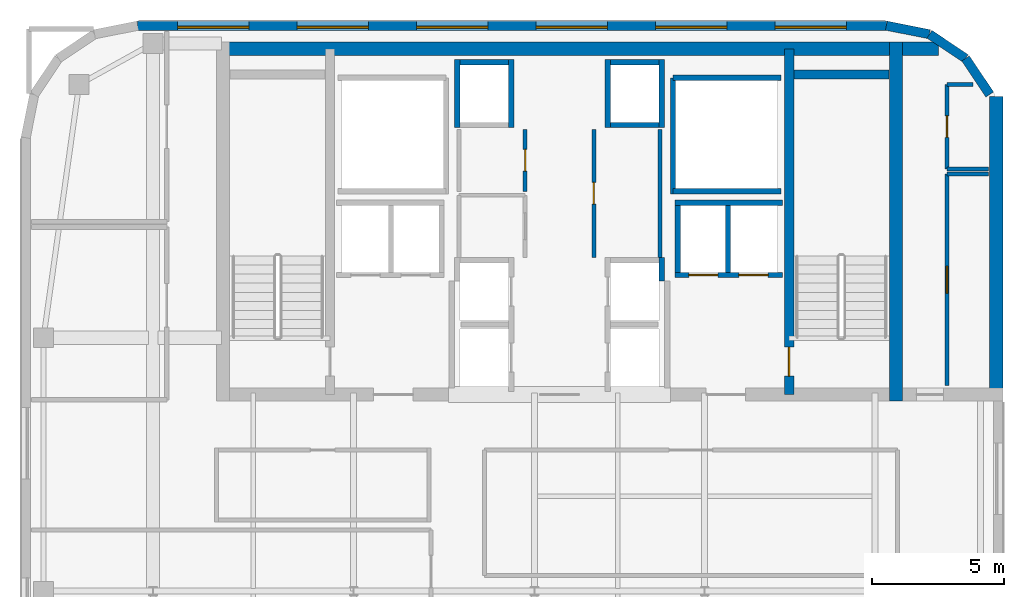
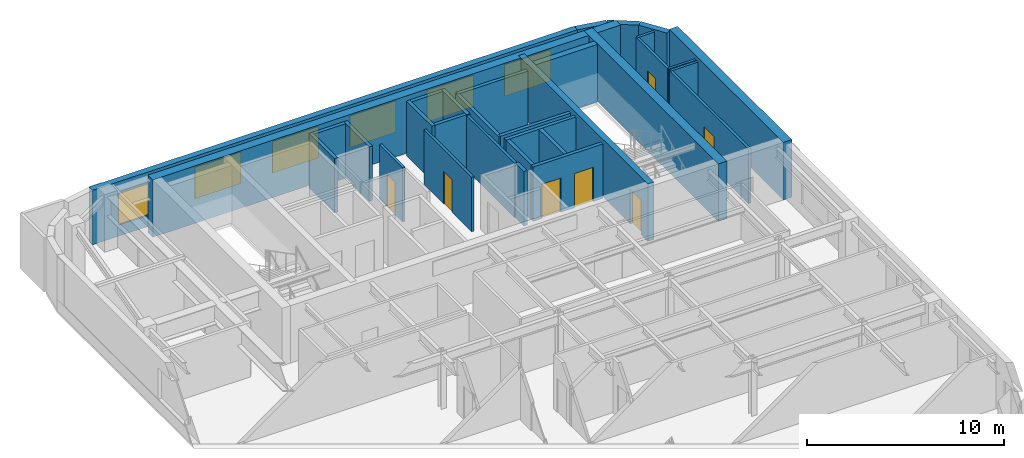
# One storey, part 7 of 12: 33 walls, 7 doors, 6 windows, 13 openings.
"""IFC4 building model written with IfcOpenShell, lengths in metres."""

from ifc_helpers import new_model, si_unit, direction, frame, frame_2d, origin, place, context, subcontext, project, spatial, rectangle, extrude, source, transform, mapped, material, layer, layer_set, type_object, type_shapes, element, fill, save


model = new_model("IFC4")

# Units and contexts
model_context = context("Model", 3, precision=1e-05, world=origin(), true_north=direction((0.0, 1.0)))
body_context = subcontext(model_context, "Body", "Model", "MODEL_VIEW")
ifc_project = project(units=[si_unit("LENGTHUNIT", "METRE"), si_unit("AREAUNIT", "SQUARE_METRE"), si_unit("VOLUMEUNIT", "CUBIC_METRE"), si_unit("PLANEANGLEUNIT", "RADIAN"), si_unit("MASSUNIT", "GRAM", prefix="KILO")], contexts=[model_context])

# Site, building, storey
site_placement = place(None, origin())
site = spatial("IfcSite", under=ifc_project, at=site_placement, CompositionType="ELEMENT")
building_placement = place(site_placement, origin())
building = spatial("IfcBuilding", under=site, at=building_placement, Name="Tolvann Quenvar Hotel", CompositionType="ELEMENT")
storey_placement = place(building_placement, frame((0.0, 0.0, 213.25)))
storey = spatial("IfcBuildingStorey", under=building, at=storey_placement, Name="L56", CompositionType="ELEMENT", Elevation=213.25)

# Walls
ifc_material_1 = material(Name="Concrete N50 (50 MPa)", Category="concrete")
ifc_layer_1 = layer(ifc_material_1, 0.5)
ifc_layer_set_1 = layer_set([ifc_layer_1], Name="Concrete N50 (50 MPa)")
wall_type_1 = type_object("IfcWallType", Name="WALL_CORE_500", PredefinedType="SHEAR", material=ifc_layer_set_1)
wall_1_placement = place(storey_placement, frame((10.0, 44.949951171875, 0.0), z_axis=(0.0, 0.0, 1.0), x_axis=(1.0, 0.0, 0.0)))
element("IfcWall", 1, at=wall_1_placement, inside=storey, type_object=wall_type_1, Name="Rear Core N Shear Wall (L56)", PredefinedType="SHEAR", context=body_context, shape_type="SweptSolid", body=[
    extrude(rectangle(XDim=26.0, YDim=0.5, at=frame_2d((13.0, 0.0))), origin(), (0.0, 0.0, 1.0), 3.550048828125),
])
wall_2_placement = place(storey_placement, frame((35.75, 31.60009765625, 0.0), z_axis=(0.0, 0.0, 1.0), x_axis=(0.0, 1.0, 0.0)))
element("IfcWall", 2, at=wall_2_placement, inside=storey, type_object=wall_type_1, Name="Rear Core E Shear Wall (L56)", PredefinedType="SHEAR", context=body_context, shape_type="SweptSolid", body=[
    extrude(rectangle(XDim=13.599853515625, YDim=0.5, at=frame_2d((6.7998046875, 0.0))), origin(), (0.0, 0.0, 1.0), 3.550048828125),
])
wall_3_placement = place(storey_placement, frame((36.0, 44.949951171875, 0.0), z_axis=(0.0, 0.0, 1.0), x_axis=(1.0, 0.0, 0.0)))
element("IfcWall", 3, at=wall_3_placement, inside=storey, type_object=wall_type_1, Name="Core East Annex Shear Wall ANN-N (L56)", PredefinedType="SHEAR", context=body_context, shape_type="SweptSolid", body=[
    extrude(rectangle(XDim=1.35009765625, YDim=0.5, at=frame_2d((0.675048828125, 0.0))), origin(), (0.0, 0.0, 1.0), 3.550048828125),
])
wall_4_placement = place(storey_placement, frame((39.550048828125, 31.60009765625, 0.0), z_axis=(0.0, 0.0, 1.0), x_axis=(0.0, 1.0, 0.0)))
element("IfcWall", 4, at=wall_4_placement, inside=storey, type_object=wall_type_1, Name="Core East Annex Shear Wall ANN-E (L56)", PredefinedType="SHEAR", context=body_context, shape_type="SweptSolid", body=[
    extrude(rectangle(XDim=11.5498046875, YDim=0.5, at=frame_2d((5.77490234375, 0.0))), origin(), (0.0, 0.0, 1.0), 3.550048828125),
])

# Wall, opening, door
ifc_material_2 = material(Name="Concrete S65 (65 MPa)", Category="concrete")
ifc_layer_2 = layer(ifc_material_2, 0.35009765625)
ifc_layer_set_2 = layer_set([ifc_layer_2], Name="Concrete S65 (65 MPa)")
wall_type_2 = type_object("IfcWallType", Name="WALL_CORE_INT_350", PredefinedType="SHEAR", material=ifc_layer_set_2)
wall_5_placement = place(storey_placement, frame((31.699951171875, 31.85009765625, 0.0), z_axis=(0.0, 0.0, 1.0), x_axis=(0.0, 1.0, 0.0)))
wall_5 = element("IfcWall", 5, at=wall_5_placement, inside=storey, type_object=wall_type_2, Name="Core Internal Web Shear Wall WEB-E (L56)", PredefinedType="SHEAR", context=body_context, shape_type="SweptSolid", body=[
    extrude(rectangle(XDim=13.099853515625, YDim=0.35009765625, at=frame_2d((6.5498046875, 0.0))), origin(), (0.0, 0.0, 1.0), 3.550048828125),
])
opening_1_placement = place(wall_5_placement, frame((1.800048828125, 0.0, 0.0), z_axis=(0.0, 0.0, 1.0), x_axis=(-1.0, 0.0, 0.0)))
opening_1 = element("IfcOpeningElement", 6, at=opening_1_placement, cuts=wall_5, Name="Opening FD-120", PredefinedType="OPENING", context=body_context, shape_type="SweptSolid", body=[
    extrude(rectangle(XDim=1.10009765625, YDim=2.1201171875, at=frame_2d((0.550048828125, 1.06005859375))), frame((0.0, 0.18505859375, 0.0), z_axis=(0.0, -1.0, 0.0), x_axis=(1.0, 0.0, 0.0)), (0.0, 0.0, 1.0), 0.3701171875),
])
ifc_material_3 = material(Name="Pressed galvanised steel fire-rated door set", Category="steel")
door_type_1 = type_object("IfcDoorType", Name="DOOR_FIRE_STAIR_1100", OperationType="NOTDEFINED", PredefinedType="DOOR", material=ifc_material_3)
shared_shape_1 = source(origin(), body_context, "Body", "SweptSolid", [
    extrude(rectangle(XDim=1.10009765625, YDim=2.1201171875, at=frame_2d((0.550048828125, 1.06005859375))), frame((0.0, 0.02490234375, 0.0), z_axis=(0.0, -1.0, 0.0), x_axis=(1.0, 0.0, 0.0)), (0.0, 0.0, 1.0), 0.050048828125),
])
type_shapes(door_type_1, [shared_shape_1])
door_1_placement = place(opening_1_placement, origin())
door_1 = element("IfcDoor", 7, at=door_1_placement, inside=storey, type_object=door_type_1, Name="Exit Stair ST-C2 Fire Door (L56)", OperationType="SINGLE_SWING_RIGHT", OverallHeight=2.1201171875, OverallWidth=1.10009765625, PredefinedType="DOOR", context=body_context, shape_type="MappedRepresentation", body=[
    mapped(shared_shape_1, transform((0.0, 0.0, 0.0), x_axis=(1.0, 0.0, 0.0), y_axis=(0.0, 1.0, 0.0), z_axis=(0.0, 0.0, 1.0), scale=1.0)),
])
fill(opening_1, door_1)

# Walls
wall_6_placement = place(storey_placement, frame((31.8798828125, 43.97509765625, 0.0), z_axis=(0.0, 0.0, 1.0), x_axis=(1.0, 0.0, 0.0)))
element("IfcWall", 8, at=wall_6_placement, inside=storey, type_object=wall_type_2, Name="Core Stair North Closing Shear Wall STC2-N (L56)", PredefinedType="SHEAR", context=body_context, shape_type="SweptSolid", body=[
    extrude(rectangle(XDim=3.60009765625, YDim=0.35009765625, at=frame_2d((1.800048828125, 0.0))), origin(), (0.0, 0.0, 1.0), 3.550048828125),
])
ifc_material_4 = material(Name="Kiln-fired red and buff architectural clay brickwork and terracotta masonry", Category="masonry")
ifc_layer_3 = layer(ifc_material_4, 0.35009765625)
ifc_layer_set_3 = layer_set([ifc_layer_3], Name="Kiln-fired red and buff architectural clay brickwork and terracotta masonry")
wall_type_3 = type_object("IfcWallType", Name="WALL_EXT_BRICK_350", PredefinedType="SOLIDWALL", material=ifc_layer_set_3)
for number, where, z_axis, x_axis, name in (
    (9, (39.30029296875, 43.215576171875, 0.0), (0.0, 0.0, 1.0), (-0.555623290322, 0.831434158098, 0.0), "Exterior Chicago Brick Wall L56-E11"),
    (10, (38.385009765625, 44.585205078125, 0.0), (0.0, 0.0, 1.0), (-0.831502623162, 0.555520825599, 0.0), "Exterior Chicago Brick Wall L56-E12"),
):
    element("IfcWall", number, at=place(storey_placement, frame(where, z_axis=z_axis, x_axis=x_axis)), inside=storey, type_object=wall_type_3, Name=name, PredefinedType="SOLIDWALL", context=body_context, shape_type="SweptSolid", body=[
        extrude(rectangle(XDim=1.647216796875, YDim=0.35009765625, at=frame_2d((0.82373046875, 0.0))), origin(), (0.0, 0.0, 1.0), 3.3701171875),
    ])
wall_7_placement = place(storey_placement, frame((37.015380859375, 45.500244140625, 0.0), z_axis=(0.0, 0.0, 1.0), x_axis=(-0.980788844421, 0.195072403631, 0.0)))
element("IfcWall", 11, at=wall_7_placement, inside=storey, type_object=wall_type_3, Name="Exterior Chicago Brick Wall L56-E13", PredefinedType="SOLIDWALL", context=body_context, shape_type="SweptSolid", body=[
    extrude(rectangle(XDim=1.66455078125, YDim=0.35009765625, at=frame_2d((0.832275390625, 0.0))), origin(), (0.0, 0.0, 1.0), 3.3701171875),
])

# Wall, openings, windows
wall_8_placement = place(storey_placement, frame((35.3828125, 45.824951171875, 0.0), z_axis=(0.0, 0.0, 1.0), x_axis=(-1.0, 0.0, 0.0)))
wall_8 = element("IfcWall", 12, at=wall_8_placement, inside=storey, type_object=wall_type_3, Name="Exterior Chicago Brick Wall L56-E14", PredefinedType="SOLIDWALL", context=body_context, shape_type="SweptSolid", body=[
    extrude(rectangle(XDim=28.36572265625, YDim=0.35009765625, at=frame_2d((14.182861328125, 0.0))), origin(), (0.0, 0.0, 1.0), 3.3701171875),
])
opening_2_placement = place(wall_8_placement, frame((1.513916015625, 0.0, 0.679931640625)))
opening_2 = element("IfcOpeningElement", 13, at=opening_2_placement, cuts=wall_8, Name="Opening W-04", PredefinedType="OPENING", context=body_context, shape_type="SweptSolid", body=[
    extrude(rectangle(XDim=2.699951171875, YDim=1.949951171875, at=frame_2d((1.35009765625, 0.97509765625))), frame((0.0, 0.18505859375, 0.0), z_axis=(0.0, -1.0, 0.0), x_axis=(1.0, 0.0, 0.0)), (0.0, 0.0, 1.0), 0.3701171875),
])
opening_3_placement = place(wall_8_placement, frame((6.041015625, 0.0, 0.679931640625)))
opening_3 = element("IfcOpeningElement", 14, at=opening_3_placement, cuts=wall_8, Name="Opening W-04", PredefinedType="OPENING", context=body_context, shape_type="SweptSolid", body=[
    extrude(rectangle(XDim=2.699951171875, YDim=1.949951171875, at=frame_2d((1.35009765625, 0.97509765625))), frame((0.0, 0.18505859375, 0.0), z_axis=(0.0, -1.0, 0.0), x_axis=(1.0, 0.0, 0.0)), (0.0, 0.0, 1.0), 0.3701171875),
])
opening_4_placement = place(wall_8_placement, frame((10.569091796875, 0.0, 0.679931640625)))
opening_4 = element("IfcOpeningElement", 15, at=opening_4_placement, cuts=wall_8, Name="Opening W-04", PredefinedType="OPENING", context=body_context, shape_type="SweptSolid", body=[
    extrude(rectangle(XDim=2.699951171875, YDim=1.949951171875, at=frame_2d((1.35009765625, 0.97509765625))), frame((0.0, 0.18505859375, 0.0), z_axis=(0.0, -1.0, 0.0), x_axis=(1.0, 0.0, 0.0)), (0.0, 0.0, 1.0), 0.3701171875),
])
opening_5_placement = place(wall_8_placement, frame((15.096923828125, 0.0, 0.679931640625)))
opening_5 = element("IfcOpeningElement", 16, at=opening_5_placement, cuts=wall_8, Name="Opening W-04", PredefinedType="OPENING", context=body_context, shape_type="SweptSolid", body=[
    extrude(rectangle(XDim=2.699951171875, YDim=1.949951171875, at=frame_2d((1.35009765625, 0.97509765625))), frame((0.0, 0.18505859375, 0.0), z_axis=(0.0, -1.0, 0.0), x_axis=(1.0, 0.0, 0.0)), (0.0, 0.0, 1.0), 0.3701171875),
])
opening_6_placement = place(wall_8_placement, frame((19.6240234375, 0.0, 0.679931640625)))
opening_6 = element("IfcOpeningElement", 17, at=opening_6_placement, cuts=wall_8, Name="Opening W-04", PredefinedType="OPENING", context=body_context, shape_type="SweptSolid", body=[
    extrude(rectangle(XDim=2.699951171875, YDim=1.949951171875, at=frame_2d((1.35009765625, 0.97509765625))), frame((0.0, 0.18505859375, 0.0), z_axis=(0.0, -1.0, 0.0), x_axis=(1.0, 0.0, 0.0)), (0.0, 0.0, 1.0), 0.3701171875),
])
opening_7_placement = place(wall_8_placement, frame((24.152099609375, 0.0, 0.679931640625)))
opening_7 = element("IfcOpeningElement", 18, at=opening_7_placement, cuts=wall_8, Name="Opening W-04", PredefinedType="OPENING", context=body_context, shape_type="SweptSolid", body=[
    extrude(rectangle(XDim=2.699951171875, YDim=1.949951171875, at=frame_2d((1.35009765625, 0.97509765625))), frame((0.0, 0.18505859375, 0.0), z_axis=(0.0, -1.0, 0.0), x_axis=(1.0, 0.0, 0.0)), (0.0, 0.0, 1.0), 0.3701171875),
])
ifc_material_5 = material(Name="Thermally broken bronze-anodised aluminium frame with double low-E glazing", Category="aluminium")
window_type = type_object("IfcWindowType", Name="WIN_STE_2700x2150", PartitioningType="TRIPLE_PANEL_HORIZONTAL", PredefinedType="WINDOW", material=ifc_material_5)
shared_shape_2 = source(origin(), body_context, "Body", "SweptSolid", [
    extrude(rectangle(XDim=2.699951171875, YDim=1.949951171875, at=frame_2d((1.35009765625, 0.97509765625))), frame((0.0, 0.090087890625, 0.0), z_axis=(0.0, -1.0, 0.0), x_axis=(1.0, 0.0, 0.0)), (0.0, 0.0, 1.0), 0.06005859375),
])
type_shapes(window_type, [shared_shape_2])
window_1_placement = place(opening_2_placement, origin())
window_1 = element("IfcWindow", 19, at=window_1_placement, inside=storey, type_object=window_type, Name="Chicago Window W-04 (EW-L56-E14-W01)", OverallHeight=1.949951171875, OverallWidth=2.699951171875, PartitioningType="TRIPLE_PANEL_HORIZONTAL", PredefinedType="WINDOW", context=body_context, shape_type="MappedRepresentation", body=[
    mapped(shared_shape_2, transform((0.0, 0.0, 0.0), x_axis=(1.0, 0.0, 0.0), y_axis=(0.0, 1.0, 0.0), z_axis=(0.0, 0.0, 1.0), scale=1.0)),
])
fill(opening_2, window_1)
window_2_placement = place(opening_3_placement, origin())
window_2 = element("IfcWindow", 20, at=window_2_placement, inside=storey, type_object=window_type, Name="Chicago Window W-04 (EW-L56-E14-W02)", OverallHeight=1.949951171875, OverallWidth=2.699951171875, PartitioningType="TRIPLE_PANEL_HORIZONTAL", PredefinedType="WINDOW", context=body_context, shape_type="MappedRepresentation", body=[
    mapped(shared_shape_2, transform((0.0, 0.0, 0.0), x_axis=(1.0, 0.0, 0.0), y_axis=(0.0, 1.0, 0.0), z_axis=(0.0, 0.0, 1.0), scale=1.0)),
])
fill(opening_3, window_2)
window_3_placement = place(opening_4_placement, origin())
window_3 = element("IfcWindow", 21, at=window_3_placement, inside=storey, type_object=window_type, Name="Chicago Window W-04 (EW-L56-E14-W03)", OverallHeight=1.949951171875, OverallWidth=2.699951171875, PartitioningType="TRIPLE_PANEL_HORIZONTAL", PredefinedType="WINDOW", context=body_context, shape_type="MappedRepresentation", body=[
    mapped(shared_shape_2, transform((0.0, 0.0, 0.0), x_axis=(1.0, 0.0, 0.0), y_axis=(0.0, 1.0, 0.0), z_axis=(0.0, 0.0, 1.0), scale=1.0)),
])
fill(opening_4, window_3)
window_4_placement = place(opening_5_placement, origin())
window_4 = element("IfcWindow", 22, at=window_4_placement, inside=storey, type_object=window_type, Name="Chicago Window W-04 (EW-L56-E14-W04)", OverallHeight=1.949951171875, OverallWidth=2.699951171875, PartitioningType="TRIPLE_PANEL_HORIZONTAL", PredefinedType="WINDOW", context=body_context, shape_type="MappedRepresentation", body=[
    mapped(shared_shape_2, transform((0.0, 0.0, 0.0), x_axis=(1.0, 0.0, 0.0), y_axis=(0.0, 1.0, 0.0), z_axis=(0.0, 0.0, 1.0), scale=1.0)),
])
fill(opening_5, window_4)
window_5_placement = place(opening_6_placement, origin())
window_5 = element("IfcWindow", 23, at=window_5_placement, inside=storey, type_object=window_type, Name="Chicago Window W-04 (EW-L56-E14-W05)", OverallHeight=1.949951171875, OverallWidth=2.699951171875, PartitioningType="TRIPLE_PANEL_HORIZONTAL", PredefinedType="WINDOW", context=body_context, shape_type="MappedRepresentation", body=[
    mapped(shared_shape_2, transform((0.0, 0.0, 0.0), x_axis=(1.0, 0.0, 0.0), y_axis=(0.0, 1.0, 0.0), z_axis=(0.0, 0.0, 1.0), scale=1.0)),
])
fill(opening_6, window_5)
window_6_placement = place(opening_7_placement, origin())
window_6 = element("IfcWindow", 24, at=window_6_placement, inside=storey, type_object=window_type, Name="Chicago Window W-04 (EW-L56-E14-W06)", OverallHeight=1.949951171875, OverallWidth=2.699951171875, PartitioningType="TRIPLE_PANEL_HORIZONTAL", PredefinedType="WINDOW", context=body_context, shape_type="MappedRepresentation", body=[
    mapped(shared_shape_2, transform((0.0, 0.0, 0.0), x_axis=(1.0, 0.0, 0.0), y_axis=(0.0, 1.0, 0.0), z_axis=(0.0, 0.0, 1.0), scale=1.0)),
])
fill(opening_7, window_6)

# Wall, opening, door
ifc_material_6 = material(Name="Acoustic twin-stud fire-rated gypsum plasterboard partition")
ifc_layer_4 = layer(ifc_material_6, 0.14990234375)
ifc_layer_set_4 = layer_set([ifc_layer_4], Name="Acoustic twin-stud fire-rated gypsum plasterboard partition")
wall_type_4 = type_object("IfcWallType", Name="WALL_PART_SUITE_150", PredefinedType="PARTITIONING", material=ifc_layer_set_4)
wall_9_placement = place(storey_placement, frame((21.699951171875, 39.550048828125, 0.0), z_axis=(0.0, 0.0, 1.0), x_axis=(0.0, 1.0, 0.0)))
wall_9 = element("IfcWall", 25, at=wall_9_placement, inside=storey, type_object=wall_type_4, Name="Interior Partition PT-SPC-L56-RECPM-2-ENT", PredefinedType="PARTITIONING", context=body_context, shape_type="SweptSolid", body=[
    extrude(rectangle(XDim=2.349853515625, YDim=0.14990234375, at=frame_2d((1.1748046875, 0.0))), origin(), (0.0, 0.0, 1.0), 3.3701171875),
])
opening_8_placement = place(wall_9_placement, frame((0.764892578125, 0.0, 0.0)))
opening_8 = element("IfcOpeningElement", 26, at=opening_8_placement, cuts=wall_9, Name="Opening HD-02", PredefinedType="OPENING", context=body_context, shape_type="SweptSolid", body=[
    extrude(rectangle(XDim=0.820068359375, YDim=2.010009765625, at=frame_2d((0.41015625, 1.0048828125))), frame((0.0, 0.0849609375, 0.0), z_axis=(0.0, -1.0, 0.0), x_axis=(1.0, 0.0, 0.0)), (0.0, 0.0, 1.0), 0.169921875),
])
door_type_2 = type_object("IfcDoorType", Name="DOOR_STORE_820", OperationType="NOTDEFINED", PredefinedType="DOOR", material=ifc_material_3)
shared_shape_3 = source(origin(), body_context, "Body", "SweptSolid", [
    extrude(rectangle(XDim=0.820068359375, YDim=2.010009765625, at=frame_2d((0.41015625, 1.0048828125))), frame((0.0, 0.02490234375, 0.0), z_axis=(0.0, -1.0, 0.0), x_axis=(1.0, 0.0, 0.0)), (0.0, 0.0, 1.0), 0.050048828125),
])
type_shapes(door_type_2, [shared_shape_3])
door_2_placement = place(opening_8_placement, origin())
door_2 = element("IfcDoor", 27, at=door_2_placement, inside=storey, type_object=door_type_2, Name="Interior Door DOOR-SPC-L56-RECPM-2", OperationType="SINGLE_SWING_RIGHT", OverallHeight=2.010009765625, OverallWidth=0.820068359375, PredefinedType="DOOR", context=body_context, shape_type="MappedRepresentation", body=[
    mapped(shared_shape_3, transform((0.0, 0.0, 0.0), x_axis=(1.0, 0.0, 0.0), y_axis=(0.0, 1.0, 0.0), z_axis=(0.0, 0.0, 1.0), scale=1.0)),
])
fill(opening_8, door_2)

wall_10_placement = place(storey_placement, frame((24.300048828125, 37.050048828125, 0.0), z_axis=(0.0, 0.0, 1.0), x_axis=(0.0, 1.0, 0.0)))
wall_10 = element("IfcWall", 28, at=wall_10_placement, inside=storey, type_object=wall_type_4, Name="Interior Partition PT-SPC-L56-RECPM-3-ENT", PredefinedType="PARTITIONING", context=body_context, shape_type="SweptSolid", body=[
    extrude(rectangle(XDim=4.849853515625, YDim=0.14990234375, at=frame_2d((2.4248046875, 0.0))), origin(), (0.0, 0.0, 1.0), 3.3701171875),
])
opening_9_placement = place(wall_10_placement, frame((2.014892578125, 0.0, 0.0)))
opening_9 = element("IfcOpeningElement", 29, at=opening_9_placement, cuts=wall_10, Name="Opening HD-02", PredefinedType="OPENING", context=body_context, shape_type="SweptSolid", body=[
    extrude(rectangle(XDim=0.820068359375, YDim=2.010009765625, at=frame_2d((0.41015625, 1.0048828125))), frame((0.0, 0.0849609375, 0.0), z_axis=(0.0, -1.0, 0.0), x_axis=(1.0, 0.0, 0.0)), (0.0, 0.0, 1.0), 0.169921875),
])
door_3_placement = place(opening_9_placement, origin())
door_3 = element("IfcDoor", 30, at=door_3_placement, inside=storey, type_object=door_type_2, Name="Interior Door DOOR-SPC-L56-RECPM-3", OperationType="SINGLE_SWING_LEFT", OverallHeight=2.010009765625, OverallWidth=0.820068359375, PredefinedType="DOOR", context=body_context, shape_type="MappedRepresentation", body=[
    mapped(shared_shape_3, transform((0.0, 0.0, 0.0), x_axis=(1.0, 0.0, 0.0), y_axis=(0.0, 1.0, 0.0), z_axis=(0.0, 0.0, 1.0), scale=1.0)),
])
fill(opening_9, door_3)

# Walls
wall_11_placement = place(storey_placement, frame((26.800048828125, 37.0400390625, 0.0), z_axis=(0.0, 0.0, 1.0), x_axis=(0.0, 1.0, 0.0)))
element("IfcWall", 31, at=wall_11_placement, inside=storey, type_object=wall_type_4, Name="Interior Partition PT-SPC-L56-RECPM-3-E", PredefinedType="PARTITIONING", context=body_context, shape_type="SweptSolid", body=[
    extrude(rectangle(XDim=4.85986328125, YDim=0.14990234375, at=frame_2d((2.429931640625, 0.0))), origin(), (0.0, 0.0, 1.0), 3.3701171875),
])
wall_12_placement = place(storey_placement, frame((37.679931640625, 40.199951171875, 0.0), z_axis=(0.0, 0.0, 1.0), x_axis=(1.0, 0.0, 0.0)))
element("IfcWall", 32, at=wall_12_placement, inside=storey, type_object=wall_type_4, Name="Interior Partition PT-SPC-L56-RECPL-1-N", PredefinedType="PARTITIONING", context=body_context, shape_type="SweptSolid", body=[
    extrude(rectangle(XDim=1.565185546875, YDim=0.14990234375, at=frame_2d((0.78271484375, 0.0))), origin(), (0.0, 0.0, 1.0), 3.3701171875),
])

# Wall, opening, door
wall_13_placement = place(storey_placement, frame((37.679931640625, 32.199951171875, 0.0), z_axis=(0.0, 0.0, 1.0), x_axis=(0.0, 1.0, 0.0)))
wall_13 = element("IfcWall", 33, at=wall_13_placement, inside=storey, type_object=wall_type_4, Name="Interior Partition PT-SPC-L56-RECPL-1-W", PredefinedType="PARTITIONING", context=body_context, shape_type="SweptSolid", body=[
    extrude(rectangle(XDim=8.0, YDim=0.14990234375, at=frame_2d((4.0, 0.0))), origin(), (0.0, 0.0, 1.0), 3.3701171875),
])
opening_10_placement = place(wall_13_placement, frame((3.489990234375, 0.0, 0.0)))
opening_10 = element("IfcOpeningElement", 34, at=opening_10_placement, cuts=wall_13, Name="Opening HD-01", PredefinedType="OPENING", context=body_context, shape_type="SweptSolid", body=[
    extrude(rectangle(XDim=1.02001953125, YDim=2.030029296875, at=frame_2d((0.510009765625, 1.01513671875))), frame((0.0, 0.0849609375, 0.0), z_axis=(0.0, -1.0, 0.0), x_axis=(1.0, 0.0, 0.0)), (0.0, 0.0, 1.0), 0.169921875),
])
door_type_3 = type_object("IfcDoorType", Name="DOOR_BOH_1020", OperationType="NOTDEFINED", PredefinedType="DOOR", material=ifc_material_3)
shared_shape_4 = source(origin(), body_context, "Body", "SweptSolid", [
    extrude(rectangle(XDim=1.02001953125, YDim=2.030029296875, at=frame_2d((0.510009765625, 1.01513671875))), frame((0.0, 0.02490234375, 0.0), z_axis=(0.0, -1.0, 0.0), x_axis=(1.0, 0.0, 0.0)), (0.0, 0.0, 1.0), 0.050048828125),
])
type_shapes(door_type_3, [shared_shape_4])
door_4_placement = place(opening_10_placement, origin())
door_4 = element("IfcDoor", 35, at=door_4_placement, inside=storey, type_object=door_type_3, Name="Interior Door DOOR-SPC-L56-RECPL-1", OperationType="SINGLE_SWING_RIGHT", OverallHeight=2.030029296875, OverallWidth=1.02001953125, PredefinedType="DOOR", context=body_context, shape_type="MappedRepresentation", body=[
    mapped(shared_shape_4, transform((0.0, 0.0, 0.0), x_axis=(1.0, 0.0, 0.0), y_axis=(0.0, 1.0, 0.0), z_axis=(0.0, 0.0, 1.0), scale=1.0)),
])
fill(opening_10, door_4)

# Walls
wall_14_placement = place(storey_placement, frame((37.679931640625, 40.39990234375, 0.0), z_axis=(0.0, 0.0, 1.0), x_axis=(1.0, 0.0, 0.0)))
element("IfcWall", 36, at=wall_14_placement, inside=storey, type_object=wall_type_4, Name="Interior Partition PT-SPC-L56-CSE-1-S", PredefinedType="PARTITIONING", context=body_context, shape_type="SweptSolid", body=[
    extrude(rectangle(XDim=1.565185546875, YDim=0.14990234375, at=frame_2d((0.78271484375, 0.0))), origin(), (0.0, 0.0, 1.0), 3.3701171875),
])
wall_15_placement = place(storey_placement, frame((37.679931640625, 43.60009765625, 0.0), z_axis=(0.0, 0.0, 1.0), x_axis=(1.0, 0.0, 0.0)))
element("IfcWall", 37, at=wall_15_placement, inside=storey, type_object=wall_type_4, Name="Interior Partition PT-SPC-L56-CSE-1-N", PredefinedType="PARTITIONING", context=body_context, shape_type="SweptSolid", body=[
    extrude(rectangle(XDim=0.988037109375, YDim=0.14990234375, at=frame_2d((0.494140625, 0.0))), origin(), (0.0, 0.0, 1.0), 3.3701171875),
])

# Wall, opening, door
wall_16_placement = place(storey_placement, frame((37.679931640625, 40.39990234375, 0.0), z_axis=(0.0, 0.0, 1.0), x_axis=(0.0, 1.0, 0.0)))
wall_16 = element("IfcWall", 38, at=wall_16_placement, inside=storey, type_object=wall_type_4, Name="Interior Partition PT-SPC-L56-CSE-1-W", PredefinedType="PARTITIONING", context=body_context, shape_type="SweptSolid", body=[
    extrude(rectangle(XDim=3.2001953125, YDim=0.14990234375, at=frame_2d((1.60009765625, 0.0))), origin(), (0.0, 0.0, 1.0), 3.3701171875),
])
opening_11_placement = place(wall_16_placement, frame((1.18994140625, 0.0, 0.0)))
opening_11 = element("IfcOpeningElement", 39, at=opening_11_placement, cuts=wall_16, Name="Opening HD-02", PredefinedType="OPENING", context=body_context, shape_type="SweptSolid", body=[
    extrude(rectangle(XDim=0.820068359375, YDim=2.010009765625, at=frame_2d((0.41015625, 1.0048828125))), frame((0.0, 0.0849609375, 0.0), z_axis=(0.0, -1.0, 0.0), x_axis=(1.0, 0.0, 0.0)), (0.0, 0.0, 1.0), 0.169921875),
])
door_5_placement = place(opening_11_placement, origin())
door_5 = element("IfcDoor", 40, at=door_5_placement, inside=storey, type_object=door_type_2, Name="Interior Door DOOR-SPC-L56-CSE-1", OperationType="SINGLE_SWING_LEFT", OverallHeight=2.010009765625, OverallWidth=0.820068359375, PredefinedType="DOOR", context=body_context, shape_type="MappedRepresentation", body=[
    mapped(shared_shape_3, transform((0.0, 0.0, 0.0), x_axis=(1.0, 0.0, 0.0), y_axis=(0.0, 1.0, 0.0), z_axis=(0.0, 0.0, 1.0), scale=1.0)),
])
fill(opening_11, door_5)

# Walls
ifc_material_7 = material(Name="Concrete N40 (40 MPa)", Category="concrete")
ifc_layer_5 = layer(ifc_material_7, 0.199951171875)
ifc_layer_set_5 = layer_set([ifc_layer_5], Name="Concrete N40 (40 MPa)")
wall_type_5 = type_object("IfcWallType", Name="WALL_SHAFT_200", PredefinedType="SOLIDWALL", material=ifc_layer_set_5)
wall_17_placement = place(storey_placement, frame((27.300048828125, 39.449951171875, 0.0), z_axis=(0.0, 0.0, 1.0), x_axis=(0.0, 1.0, 0.0)))
element("IfcWall", 41, at=wall_17_placement, inside=storey, type_object=wall_type_5, Name="Service Riser E Shaft Wall IN (L56)", PredefinedType="SOLIDWALL", context=body_context, shape_type="SweptSolid", body=[
    extrude(rectangle(XDim=4.400146484375, YDim=0.199951171875, at=frame_2d((2.2001953125, 0.0))), origin(), (0.0, 0.0, 1.0), 3.3701171875),
])
for number, where, z_axis, x_axis, name in (
    (42, (27.300048828125, 39.550048828125, 0.0), (0.0, 0.0, 1.0), (1.0, 0.0, 0.0), "Service Riser E Shaft Wall S (L56)"),
    (43, (27.300048828125, 43.85009765625, 0.0), (0.0, 0.0, 1.0), (1.0, 0.0, 0.0), "Service Riser E Shaft Wall N (L56)"),
):
    element("IfcWall", number, at=place(storey_placement, frame(where, z_axis=z_axis, x_axis=x_axis)), inside=storey, type_object=wall_type_5, Name=name, PredefinedType="SOLIDWALL", context=body_context, shape_type="SweptSolid", body=[
        extrude(rectangle(XDim=4.099853515625, YDim=0.199951171875, at=frame_2d((2.0498046875, 0.0))), origin(), (0.0, 0.0, 1.0), 3.3701171875),
    ])
for number, where, z_axis, x_axis, name in (
    (44, (21.169921875, 41.9599609375, 0.0), (0.0, 0.0, 1.0), (0.0, 1.0, 0.0), "Lift Bank E21.1C2 Hoistway Front Wall (L56)"),
    (45, (19.1298828125, 41.9599609375, 0.0), (0.0, 0.0, 1.0), (0.0, 1.0, 0.0), "Lift Bank E21.1C2 Hoistway Rear Wall (L56)"),
):
    element("IfcWall", number, at=place(storey_placement, frame(where, z_axis=z_axis, x_axis=x_axis)), inside=storey, type_object=wall_type_5, Name=name, PredefinedType="SOLIDWALL", context=body_context, shape_type="SweptSolid", body=[
        extrude(rectangle(XDim=2.580078125, YDim=0.199951171875, at=frame_2d((1.2900390625, 0.0))), origin(), (0.0, 0.0, 1.0), 3.3701171875),
    ])
wall_18_placement = place(storey_placement, frame((19.22998046875, 44.43994140625, 0.0), z_axis=(0.0, 0.0, 1.0), x_axis=(1.0, 0.0, 0.0)))
element("IfcWall", 46, at=wall_18_placement, inside=storey, type_object=wall_type_5, Name="Lift Bank E21.1C2 Hoistway Cheek Wall 2 (L56)", PredefinedType="SOLIDWALL", context=body_context, shape_type="SweptSolid", body=[
    extrude(rectangle(XDim=1.840087890625, YDim=0.199951171875, at=frame_2d((0.919921875, 0.0))), origin(), (0.0, 0.0, 1.0), 3.3701171875),
])

# Wall, openings, doors
wall_19_placement = place(storey_placement, frame((27.375, 36.3798828125, 0.0), z_axis=(0.0, 0.0, 1.0), x_axis=(1.0, 0.0, 0.0)))
wall_19 = element("IfcWall", 47, at=wall_19_placement, inside=storey, type_object=wall_type_5, Name="Lift Bank SEC1 Hoistway Front Wall (L56)", PredefinedType="SOLIDWALL", context=body_context, shape_type="SweptSolid", body=[
    extrude(rectangle(XDim=4.074951171875, YDim=0.199951171875, at=frame_2d((2.03759765625, 0.0))), origin(), (0.0, 0.0, 1.0), 3.3701171875),
])
opening_12_placement = place(wall_19_placement, frame((0.52490234375, 0.0, 0.0)))
opening_12 = element("IfcOpeningElement", 48, at=opening_12_placement, cuts=wall_19, Name="Opening LD-01", PredefinedType="OPENING", context=body_context, shape_type="SweptSolid", body=[
    extrude(rectangle(XDim=1.10009765625, YDim=2.1201171875, at=frame_2d((0.550048828125, 1.06005859375))), frame((0.0, 0.10986328125, 0.0), z_axis=(0.0, -1.0, 0.0), x_axis=(1.0, 0.0, 0.0)), (0.0, 0.0, 1.0), 0.219970703125),
])
opening_13_placement = place(wall_19_placement, frame((2.425048828125, 0.0, 0.0)))
opening_13 = element("IfcOpeningElement", 49, at=opening_13_placement, cuts=wall_19, Name="Opening LD-01", PredefinedType="OPENING", context=body_context, shape_type="SweptSolid", body=[
    extrude(rectangle(XDim=1.10009765625, YDim=2.1201171875, at=frame_2d((0.550048828125, 1.06005859375))), frame((0.0, 0.10986328125, 0.0), z_axis=(0.0, -1.0, 0.0), x_axis=(1.0, 0.0, 0.0)), (0.0, 0.0, 1.0), 0.219970703125),
])
ifc_material_8 = material(Name="Brushed 316 stainless steel automatic sliding lift landing door", Category="steel")
door_type_4 = type_object("IfcDoorType", Name="DOOR_LIFT_SLIDE_1100", OperationType="NOTDEFINED", PredefinedType="DOOR", material=ifc_material_8)
shared_shape_5 = source(origin(), body_context, "Body", "SweptSolid", [
    extrude(rectangle(XDim=1.10009765625, YDim=2.1201171875, at=frame_2d((0.550048828125, 1.06005859375))), frame((0.0, 0.02490234375, 0.0), z_axis=(0.0, -1.0, 0.0), x_axis=(1.0, 0.0, 0.0)), (0.0, 0.0, 1.0), 0.050048828125),
])
type_shapes(door_type_4, [shared_shape_5])
door_6_placement = place(opening_12_placement, origin())
door_6 = element("IfcDoor", 50, at=door_6_placement, inside=storey, type_object=door_type_4, Name="Lift SV-2 Sliding Landing Door (L56)", OperationType="SLIDING_TO_LEFT", OverallHeight=2.1201171875, OverallWidth=1.10009765625, PredefinedType="DOOR", context=body_context, shape_type="MappedRepresentation", body=[
    mapped(shared_shape_5, transform((0.0, 0.0, 0.0), x_axis=(1.0, 0.0, 0.0), y_axis=(0.0, 1.0, 0.0), z_axis=(0.0, 0.0, 1.0), scale=1.0)),
])
fill(opening_12, door_6)
door_7_placement = place(opening_13_placement, origin())
door_7 = element("IfcDoor", 51, at=door_7_placement, inside=storey, type_object=door_type_4, Name="Lift FF-2 Sliding Landing Door (L56)", OperationType="SLIDING_TO_RIGHT", OverallHeight=2.1201171875, OverallWidth=1.10009765625, PredefinedType="DOOR", context=body_context, shape_type="MappedRepresentation", body=[
    mapped(shared_shape_5, transform((0.0, 0.0, 0.0), x_axis=(1.0, 0.0, 0.0), y_axis=(0.0, 1.0, 0.0), z_axis=(0.0, 0.0, 1.0), scale=1.0)),
])
fill(opening_13, door_7)

# Walls
wall_20_placement = place(storey_placement, frame((27.375, 39.1201171875, 0.0), z_axis=(0.0, 0.0, 1.0), x_axis=(1.0, 0.0, 0.0)))
element("IfcWall", 52, at=wall_20_placement, inside=storey, type_object=wall_type_5, Name="Lift Bank SEC1 Hoistway Rear Wall (L56)", PredefinedType="SOLIDWALL", context=body_context, shape_type="SweptSolid", body=[
    extrude(rectangle(XDim=4.074951171875, YDim=0.199951171875, at=frame_2d((2.03759765625, 0.0))), origin(), (0.0, 0.0, 1.0), 3.3701171875),
])
for number, where, z_axis, x_axis, name in (
    (53, (27.47509765625, 36.47998046875, 0.0), (0.0, 0.0, 1.0), (0.0, 1.0, 0.0), "Lift Bank SEC1 Hoistway Cheek Wall 1 (L56)"),
    (54, (29.387451171875, 36.47998046875, 0.0), (0.0, 0.0, 1.0), (0.0, 1.0, 0.0), "Lift Bank SEC1 Divider Wall 1 (L56)"),
):
    element("IfcWall", number, at=place(storey_placement, frame(where, z_axis=z_axis, x_axis=x_axis)), inside=storey, type_object=wall_type_5, Name=name, PredefinedType="SOLIDWALL", context=body_context, shape_type="SweptSolid", body=[
        extrude(rectangle(XDim=2.5400390625, YDim=0.199951171875, at=frame_2d((1.27001953125, 0.0))), origin(), (0.0, 0.0, 1.0), 3.3701171875),
    ])
wall_21_placement = place(storey_placement, frame((26.8701171875, 36.159912109375, 0.0), z_axis=(0.0, 0.0, 1.0), x_axis=(0.0, 1.0, 0.0)))
element("IfcWall", 55, at=wall_21_placement, inside=storey, type_object=wall_type_5, Name="Lift Bank W24.9C1 Hoistway Rear Wall (L56)", PredefinedType="SOLIDWALL", context=body_context, shape_type="SweptSolid", body=[
    extrude(rectangle(XDim=0.880126953125, YDim=0.199951171875, at=frame_2d((0.43994140625, 0.0))), origin(), (0.0, 0.0, 1.0), 3.3701171875),
])
for number, where, z_axis, x_axis, name in (
    (56, (24.830078125, 41.9599609375, 0.0), (0.0, 0.0, 1.0), (0.0, 1.0, 0.0), "Lift Bank W24.9C2 Hoistway Front Wall (L56)"),
    (57, (26.8701171875, 41.9599609375, 0.0), (0.0, 0.0, 1.0), (0.0, 1.0, 0.0), "Lift Bank W24.9C2 Hoistway Rear Wall (L56)"),
):
    element("IfcWall", number, at=place(storey_placement, frame(where, z_axis=z_axis, x_axis=x_axis)), inside=storey, type_object=wall_type_5, Name=name, PredefinedType="SOLIDWALL", context=body_context, shape_type="SweptSolid", body=[
        extrude(rectangle(XDim=2.580078125, YDim=0.199951171875, at=frame_2d((1.2900390625, 0.0))), origin(), (0.0, 0.0, 1.0), 3.3701171875),
    ])
for number, where, z_axis, x_axis, name in (
    (58, (24.929931640625, 42.06005859375, 0.0), (0.0, 0.0, 1.0), (1.0, 0.0, 0.0), "Lift Bank W24.9C2 Hoistway Cheek Wall 1 (L56)"),
    (59, (24.929931640625, 44.43994140625, 0.0), (0.0, 0.0, 1.0), (1.0, 0.0, 0.0), "Lift Bank W24.9C2 Hoistway Cheek Wall 2 (L56)"),
):
    element("IfcWall", number, at=place(storey_placement, frame(where, z_axis=z_axis, x_axis=x_axis)), inside=storey, type_object=wall_type_5, Name=name, PredefinedType="SOLIDWALL", context=body_context, shape_type="SweptSolid", body=[
        extrude(rectangle(XDim=1.840087890625, YDim=0.199951171875, at=frame_2d((0.919921875, 0.0))), origin(), (0.0, 0.0, 1.0), 3.3701171875),
    ])

save(model, "model.ifc")
